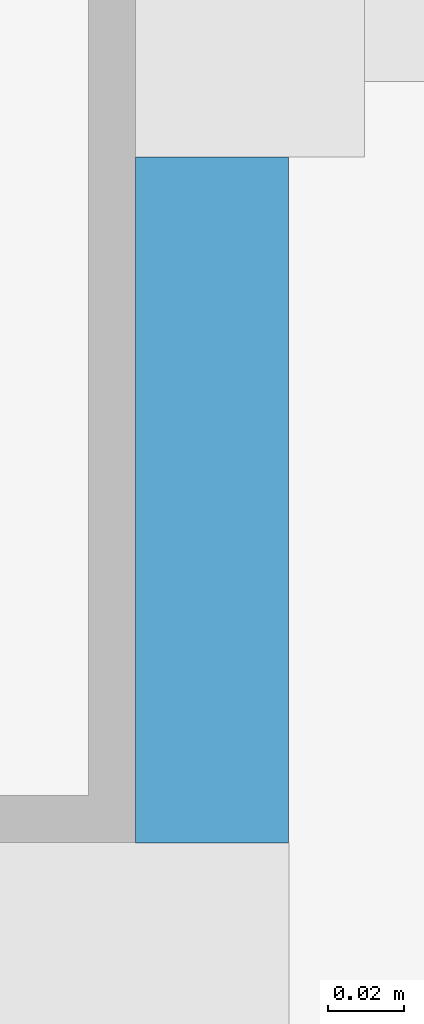
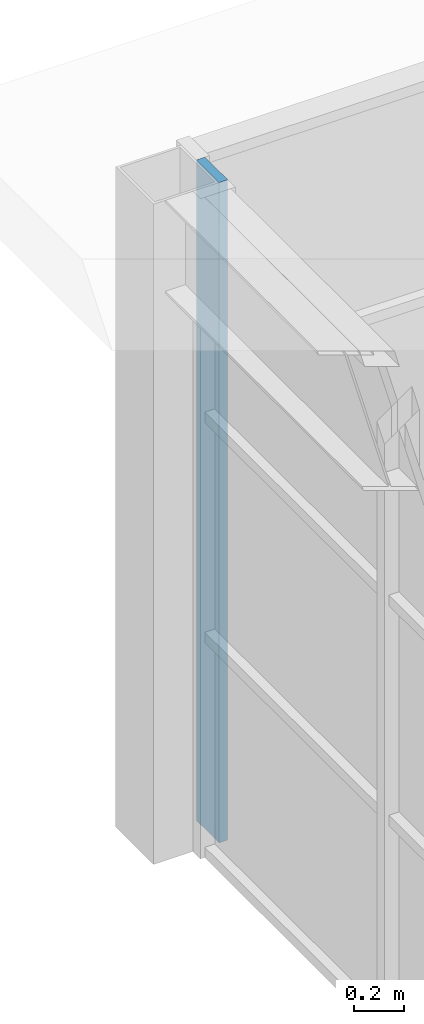
# One storey, part 105 of 182: 1 discrete accessory.
"""IFC4 building model written with IfcOpenShell, lengths in metres."""

from ifc_helpers import new_model, si_unit, direction, frame, origin, origin_2d, place, context, subcontext, project, spatial, rectangle, extrude, material, type_object, element, save


model = new_model("IFC4")

# Units and contexts
model_context = context("Model", 3, precision=1e-05, world=origin(), true_north=direction((0.0, 1.0)))
body_context = subcontext(model_context, "Body", "Model", "MODEL_VIEW")
ifc_project = project(units=[si_unit("LENGTHUNIT", "METRE"), si_unit("AREAUNIT", "SQUARE_METRE"), si_unit("VOLUMEUNIT", "CUBIC_METRE"), si_unit("PLANEANGLEUNIT", "RADIAN"), si_unit("MASSUNIT", "GRAM", prefix="KILO")], contexts=[model_context])

# Site, building, storey
site_placement = place(None, origin())
site = spatial("IfcSite", under=ifc_project, at=site_placement, CompositionType="ELEMENT")
building_placement = place(site_placement, origin())
building = spatial("IfcBuilding", under=site, at=building_placement, Name="Silverbay Arena", CompositionType="ELEMENT")
storey_placement = place(building_placement, frame((0.0, 0.0, 11.5)))
storey = spatial("IfcBuildingStorey", under=building, at=storey_placement, Name="L02", CompositionType="ELEMENT", Elevation=11.5)

# Discrete accessory
ifc_material = material(Name="Steel S355", Category="steel")
discrete_accessory_type = type_object("IfcDiscreteAccessoryType", Name="Steel bracket plate", PredefinedType="BRACKET", material=ifc_material)
discrete_accessory_placement = place(storey_placement, frame((120.169921875, 154.239990234375, 0.0), z_axis=(0.0, 0.0, 1.0), x_axis=(1.0, 0.0, 0.0)))
element("IfcDiscreteAccessory", 1, at=discrete_accessory_placement, inside=storey, type_object=discrete_accessory_type, Name="Glazing corner closer plate", PredefinedType="BRACKET", context=body_context, shape_type="SweptSolid", body=[
    extrude(rectangle(XDim=0.0400390625, YDim=0.179931640625, at=origin_2d()), origin(), (0.0, 0.0, 1.0), 3.199951171875),
])

save(model, "model.ifc")
